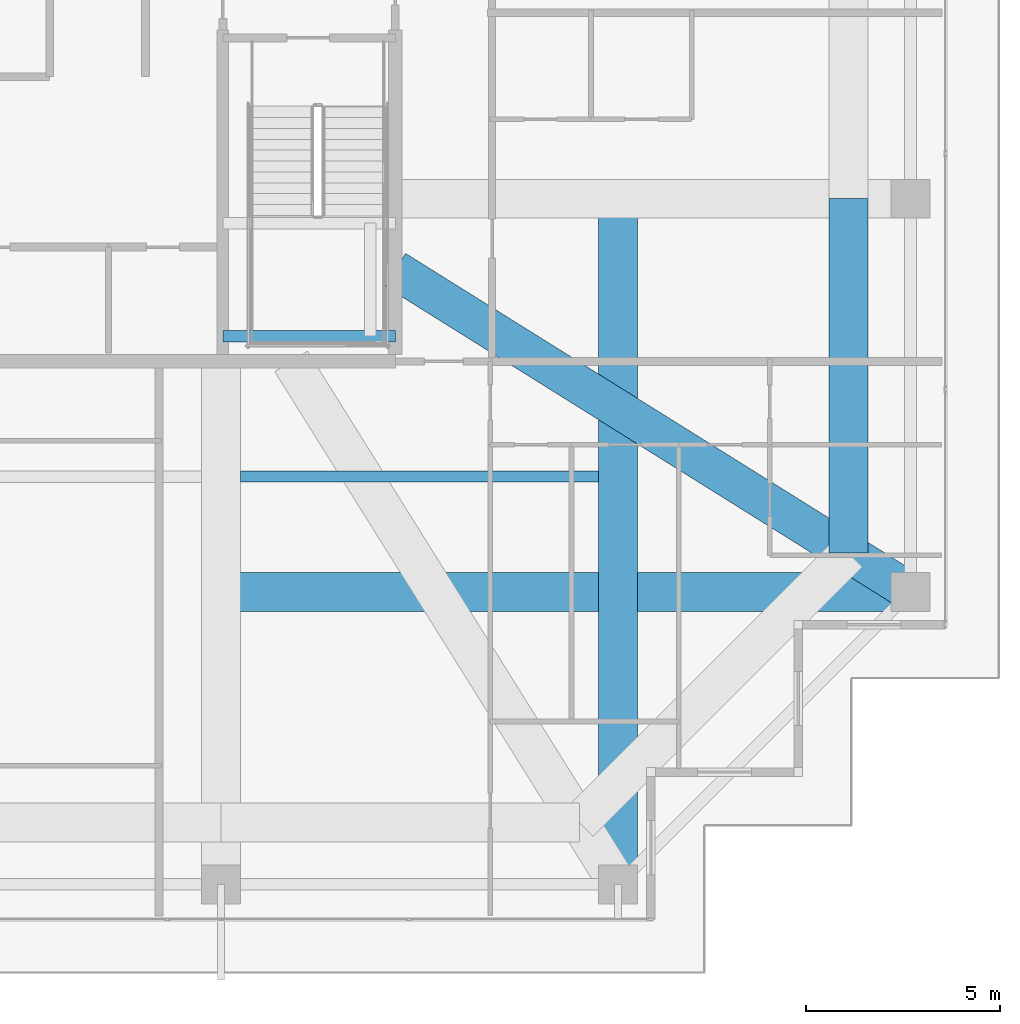
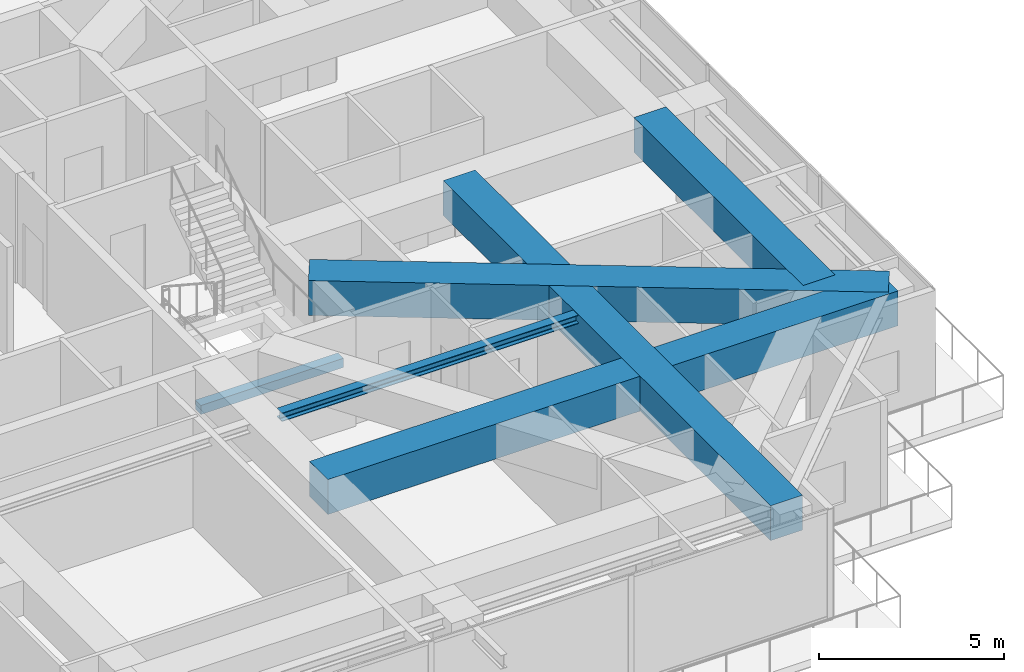
# One storey, part 16 of 40: 6 beams.
"""IFC4 building model written with IfcOpenShell, lengths in metres."""

from ifc_helpers import new_model, si_unit, direction, frame, origin, origin_2d, place, context, subcontext, project, spatial, rectangle, i_section, extrude, source, transform, mapped, material, material_profile, profile_set, type_object, element, save


model = new_model("IFC4")

# Units and contexts
model_context = context("Model", 3, precision=1e-05, world=origin(), true_north=direction((0.0, 1.0)))
body_context = subcontext(model_context, "Body", "Model", "MODEL_VIEW")
ifc_project = project(units=[si_unit("LENGTHUNIT", "METRE"), si_unit("AREAUNIT", "SQUARE_METRE"), si_unit("VOLUMEUNIT", "CUBIC_METRE"), si_unit("PLANEANGLEUNIT", "RADIAN"), si_unit("MASSUNIT", "GRAM", prefix="KILO")], contexts=[model_context])

# Site, building, storey
site_placement = place(None, origin())
site = spatial("IfcSite", under=ifc_project, at=site_placement, CompositionType="ELEMENT")
building_placement = place(site_placement, origin())
building = spatial("IfcBuilding", under=site, at=building_placement, Name="Serunith Strait Residences", CompositionType="ELEMENT")
storey_placement = place(building_placement, frame((0.0, 0.0, 333.949951171875)))
storey = spatial("IfcBuildingStorey", under=building, at=storey_placement, Name="L83", CompositionType="ELEMENT", Elevation=333.949951171875)

# Beams
ifc_material_1 = material(Name="Concrete C80/95", Category="concrete")
ifc_material_profile_1 = material_profile(ifc_material_1, rectangle(XDim=1.0, YDim=1.14990234375, at=origin_2d()), Name="RC 1000x1150")
ifc_profile_set_1 = profile_set([ifc_material_profile_1], Name="Concrete C80/95")
beam_type_1 = type_object("IfcBeamType", Name="BM-XFER-1000x1150", PredefinedType="BEAM", material=ifc_profile_set_1)
shared_shape_1 = source(origin(), body_context, "Body", "SweptSolid", [
    extrude(rectangle(XDim=1.0, YDim=1.14990234375, at=origin_2d()), origin(), (0.0, 0.0, 1.0), 17.699951171875),
])
beam_1_placement = place(storey_placement, frame((47.14990234375, 21.0, 3.03515625), z_axis=(0.0, -1.0, 0.0), x_axis=(1.0, 0.0, 0.0)))
element("IfcBeam", 1, at=beam_1_placement, inside=storey, type_object=beam_type_1, Name="L83 Orthogonal Corner Girder TC-S4", PredefinedType="BEAM", context=body_context, shape_type="MappedRepresentation", body=[
    mapped(shared_shape_1, transform((0.0, 0.0, 0.0), scale=1.0)),
])
shared_shape_2 = source(origin(), body_context, "Body", "SweptSolid", [
    extrude(rectangle(XDim=1.0, YDim=1.14990234375, at=origin_2d()), origin(), (0.0, 0.0, 1.0), 17.800048828125),
])
beam_2_placement = place(storey_placement, frame((36.89990234375, 10.85009765625, 3.03515625), z_axis=(1.0, 0.0, 0.0), x_axis=(0.0, 1.0, 0.0)))
element("IfcBeam", 2, at=beam_2_placement, inside=storey, type_object=beam_type_1, Name="L83 Orthogonal Corner Girder TC-E1", PredefinedType="BEAM", context=body_context, shape_type="MappedRepresentation", body=[
    mapped(shared_shape_2, transform((0.0, 0.0, 0.0), scale=1.0)),
])
shared_shape_3 = source(origin(), body_context, "Body", "SweptSolid", [
    extrude(rectangle(XDim=1.0, YDim=1.14990234375, at=origin_2d()), origin(), (0.0, 0.0, 1.0), 15.68408203125),
])
beam_3_placement = place(storey_placement, frame((54.699951171875, 10.85009765625, 3.03515625), z_axis=(-0.847999178509, 0.529997540795, 0.0), x_axis=(-0.529997540795, -0.847999178509, 0.0)))
element("IfcBeam", 3, at=beam_3_placement, inside=storey, type_object=beam_type_1, Name="L83 Diagonal Corner Transfer Girder TC-E1", PredefinedType="BEAM", context=body_context, shape_type="MappedRepresentation", body=[
    mapped(shared_shape_3, transform((0.0, 0.0, 0.0), scale=1.0)),
])
shared_shape_4 = source(origin(), body_context, "Body", "SweptSolid", [
    extrude(rectangle(XDim=1.0, YDim=1.14990234375, at=origin_2d()), origin(), (0.0, 0.0, 1.0), 9.14990234375),
])
beam_4_placement = place(storey_placement, frame((53.10009765625, 11.85009765625, 3.03515625), z_axis=(0.0, 1.0, 0.0), x_axis=(-1.0, 0.0, 0.0)))
element("IfcBeam", 4, at=beam_4_placement, inside=storey, type_object=beam_type_1, Name="L83 Flare Upper Ring Transfer Girder 05", PredefinedType="BEAM", context=body_context, shape_type="MappedRepresentation", body=[
    mapped(shared_shape_4, transform((0.0, 0.0, 0.0), scale=1.0)),
])
ifc_material_2 = material(Name="Steel S355J2", Category="steel")
ifc_material_profile_2 = material_profile(ifc_material_2, i_section(OverallWidth=0.280029296875, OverallDepth=0.280029296875, WebThickness=0.010498046875, FlangeThickness=0.01806640625, FilletRadius=0.02392578125, at=origin_2d()), Name="HEB 280")
ifc_profile_set_2 = profile_set([ifc_material_profile_2], Name="Steel S355J2")
beam_type_2 = type_object("IfcBeamType", Name="BM-HEB280", PredefinedType="JOIST", material=ifc_profile_set_2)
shared_shape_5 = source(origin(), body_context, "Body", "SweptSolid", [
    extrude(i_section(OverallWidth=0.280029296875, OverallDepth=0.280029296875, WebThickness=0.010498046875, FlangeThickness=0.01806640625, FilletRadius=0.02392578125, at=origin_2d()), origin(), (0.0, 0.0, 1.0), 9.25),
])
beam_5_placement = place(storey_placement, frame((37.39990234375, 13.824951171875, 3.467041015625), z_axis=(1.0, 0.0, 0.0), x_axis=(0.0, 1.0, 0.0)))
element("IfcBeam", 5, at=beam_5_placement, inside=storey, type_object=beam_type_2, Name="L83 Composite Floor Joist 03", PredefinedType="JOIST", context=body_context, shape_type="MappedRepresentation", body=[
    mapped(shared_shape_5, transform((0.0, 0.0, 0.0), scale=1.0)),
])
ifc_material_3 = material(Name="Concrete C60/75", Category="concrete")
ifc_material_profile_3 = material_profile(ifc_material_3, rectangle(XDim=0.300048828125, YDim=0.300048828125, at=origin_2d()), Name="RC 300x300")
ifc_profile_set_3 = profile_set([ifc_material_profile_3], Name="Concrete C60/75")
beam_type_3 = type_object("IfcBeamType", Name="BM-LAND-300x300", PredefinedType="BEAM", material=ifc_profile_set_3)
shared_shape_6 = source(origin(), body_context, "Body", "SweptSolid", [
    extrude(rectangle(XDim=0.300048828125, YDim=0.300048828125, at=origin_2d()), origin(), (0.0, 0.0, 1.0), 4.449951171875),
])
beam_6_placement = place(storey_placement, frame((36.949951171875, 17.449951171875, 1.675048828125), z_axis=(1.0, 0.0, 0.0), x_axis=(0.0, 1.0, 0.0)))
element("IfcBeam", 6, at=beam_6_placement, inside=storey, type_object=beam_type_3, Name="L83 ST-2 Landing Support Beam 1", PredefinedType="BEAM", context=body_context, shape_type="MappedRepresentation", body=[
    mapped(shared_shape_6, transform((0.0, 0.0, 0.0), scale=1.0)),
])

save(model, "model.ifc")
